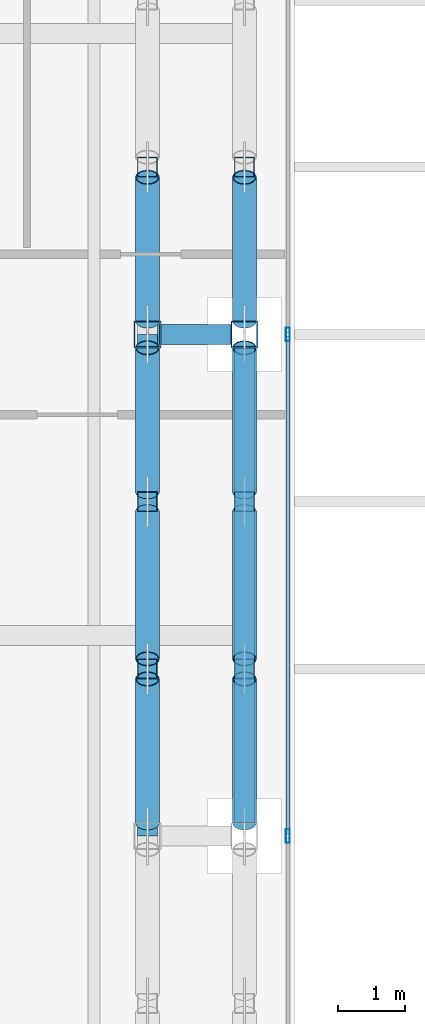
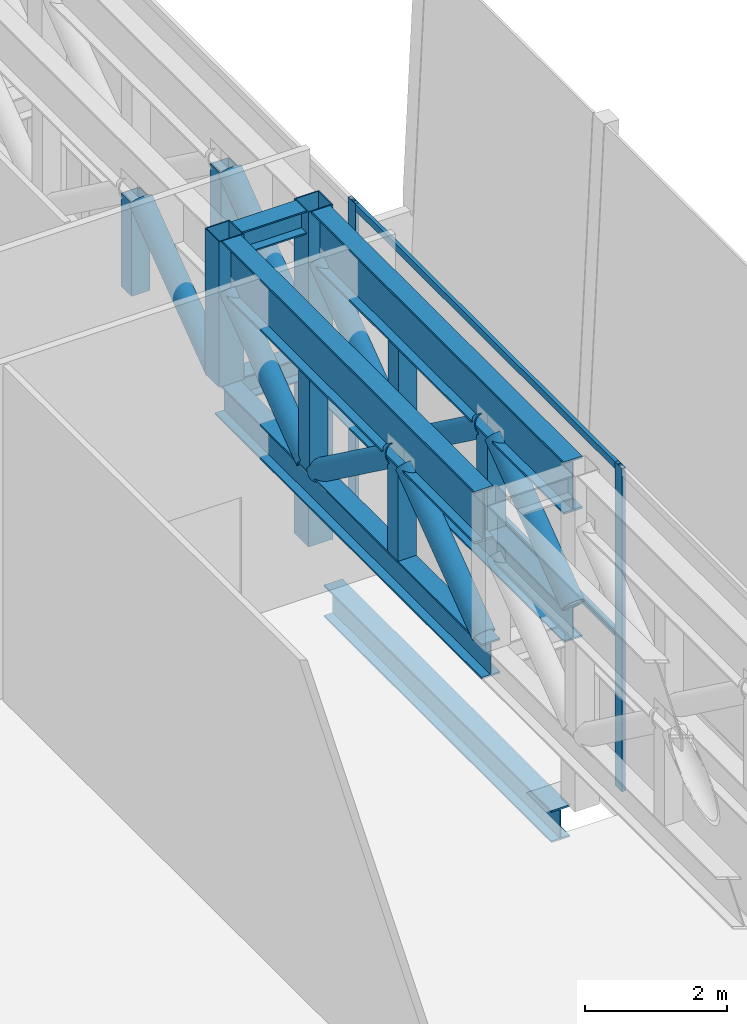
# One storey, part 17 of 47: 24 members, 3 beams, 1 element without a shape of its own.
"""IFC4 building model written with IfcOpenShell, lengths in metres."""

from ifc_helpers import new_model, si_unit, direction, frame, origin, origin_2d, place, context, subcontext, project, spatial, hollow_rectangle, hollow_circle, i_section, extrude, source, transform, mapped, material, material_profile, profile_set, type_object, element, aggregate, save


model = new_model("IFC4")

# Units and contexts
model_context = context("Model", 3, precision=1e-05, world=origin(), true_north=direction((0.0, 1.0)))
body_context = subcontext(model_context, "Body", "Model", "MODEL_VIEW")
ifc_project = project(units=[si_unit("LENGTHUNIT", "METRE"), si_unit("AREAUNIT", "SQUARE_METRE"), si_unit("VOLUMEUNIT", "CUBIC_METRE"), si_unit("PLANEANGLEUNIT", "RADIAN"), si_unit("MASSUNIT", "GRAM", prefix="KILO")], contexts=[model_context])

# Site, building, storey
site_placement = place(None, origin())
site = spatial("IfcSite", under=ifc_project, at=site_placement, CompositionType="ELEMENT")
building_placement = place(site_placement, origin())
building = spatial("IfcBuilding", under=site, at=building_placement, Name="Khomas Fold Tower", CompositionType="ELEMENT")
storey_placement = place(building_placement, frame((0.0, 0.0, 158.699951171875)))
storey = spatial("IfcBuildingStorey", under=building, at=storey_placement, Name="L34", CompositionType="ELEMENT", Elevation=158.699951171875)

# Beam
ifc_material_1 = material(Name="Steel S355", Category="steel")
ifc_material_profile_1 = material_profile(ifc_material_1, i_section(OverallWidth=0.300048828125, OverallDepth=0.550048828125, WebThickness=0.014892578125, FlangeThickness=0.029052734375, at=origin_2d()), Name="HE 550 B")
ifc_profile_set_1 = profile_set([ifc_material_profile_1], Name="Steel S355")
beam_type_1 = type_object("IfcBeamType", Name="HE 550 B spandrel SB2", PredefinedType="SPANDREL", material=ifc_profile_set_1)
shared_shape_1 = source(origin(), body_context, "Body", "SweptSolid", [
    extrude(i_section(OverallWidth=0.300048828125, OverallDepth=0.550048828125, WebThickness=0.014892578125, FlangeThickness=0.029052734375, at=origin_2d()), origin(), (0.0, 0.0, 1.0), 6.39990234375),
])
beam_1_placement = place(storey_placement, frame((51.75, 20.050048828125, -0.724853515625), z_axis=(0.0, 1.0, 0.0), x_axis=(-1.0, 0.0, 0.0)))
element("IfcBeam", 1, at=beam_1_placement, inside=storey, type_object=beam_type_1, Name="SB2", PredefinedType="SPANDREL", context=body_context, shape_type="MappedRepresentation", body=[
    mapped(shared_shape_1, transform((0.0, 0.0, 0.0))),
])

# Members
ifc_material_2 = material(Name="Steel S355", Category="steel")
ifc_material_profile_2 = material_profile(ifc_material_2, hollow_rectangle(XDim=0.300048828125, YDim=0.300048828125, WallThickness=0.012451171875, at=origin_2d()), Name="SHS 300x300x12.5")
ifc_profile_set_2 = profile_set([ifc_material_profile_2], Name="Steel S355")
member_type_1 = type_object("IfcMemberType", Name="BELT TRUSS 2 MID POST SHS 300x300x12.5", PredefinedType="POST", material=ifc_profile_set_2)
shared_shape_2 = source(origin(), body_context, "Body", "SweptSolid", [
    extrude(hollow_rectangle(XDim=0.300048828125, YDim=0.300048828125, WallThickness=0.012451171875, at=origin_2d()), origin(), (0.0, 0.0, 1.0), 1.60009765625),
])
for number, where, z_axis, x_axis, name in (
    (2, (51.75, 22.0, 3.25), (0.0, 0.0, 1.0), (1.0, 0.0, 0.0), "BT2-M"),
    (3, (51.75, 24.5, 3.25), (0.0, 0.0, 1.0), (1.0, 0.0, 0.0), "BT2-M"),
    (4, (51.75, 29.5, 3.25), (0.0, 0.0, 1.0), (1.0, 0.0, 0.0), "BT2-M"),
    (5, (50.300048828125, 22.0, 3.25), (0.0, 0.0, 1.0), (1.0, 0.0, 0.0), "BT2-M"),
    (6, (50.300048828125, 24.5, 3.25), (0.0, 0.0, 1.0), (1.0, 0.0, 0.0), "BT2-M"),
    (7, (50.300048828125, 29.5, 3.25), (0.0, 0.0, 1.0), (1.0, 0.0, 0.0), "BT2-M"),
):
    element("IfcMember", number, at=place(storey_placement, frame(where, z_axis=z_axis, x_axis=x_axis)), inside=storey, type_object=member_type_1, Name=name, PredefinedType="POST", context=body_context, shape_type="MappedRepresentation", body=[
        mapped(shared_shape_2, transform((0.0, 0.0, 0.0))),
    ])
ifc_material_3 = material(Name="Steel S460M", Category="steel")
ifc_material_profile_3 = material_profile(ifc_material_3, i_section(OverallWidth=0.300048828125, OverallDepth=0.89990234375, WebThickness=0.0185546875, FlangeThickness=0.034912109375, at=origin_2d()), Name="HE 900 B")
ifc_profile_set_3 = profile_set([ifc_material_profile_3], Name="Steel S460M")
member_type_2 = type_object("IfcMemberType", Name="BELT TRUSS 2 TOP CHORD HE 900 B", PredefinedType="CHORD", material=ifc_profile_set_3)
shared_shape_3 = source(origin(), body_context, "Body", "SweptSolid", [
    extrude(i_section(OverallWidth=0.300048828125, OverallDepth=0.89990234375, WebThickness=0.0185546875, FlangeThickness=0.034912109375, at=origin_2d()), origin(), (0.0, 0.0, 1.0), 7.10009765625),
])
for number, where, z_axis, x_axis, name in (
    (8, (51.75, 19.699951171875, 5.300048828125), (0.0, 1.0, 0.0), (-1.0, 0.0, 0.0), "BT2-CT"),
    (9, (50.300048828125, 19.699951171875, 5.300048828125), (0.0, 1.0, 0.0), (-1.0, 0.0, 0.0), "BT2-CT"),
):
    element("IfcMember", number, at=place(storey_placement, frame(where, z_axis=z_axis, x_axis=x_axis)), inside=storey, type_object=member_type_2, Name=name, PredefinedType="CHORD", context=body_context, shape_type="MappedRepresentation", body=[
        mapped(shared_shape_3, transform((0.0, 0.0, 0.0))),
    ])
ifc_material_4 = material(Name="Steel S355", Category="steel")
ifc_material_profile_4 = material_profile(ifc_material_4, i_section(OverallWidth=0.300048828125, OverallDepth=0.60009765625, WebThickness=0.015380859375, FlangeThickness=0.030029296875, at=origin_2d()), Name="HE 600 B")
ifc_profile_set_4 = profile_set([ifc_material_profile_4], Name="Steel S355")
member_type_3 = type_object("IfcMemberType", Name="BELT TRUSS 2 BOTTOM CHORD HE 600 B", PredefinedType="CHORD", material=ifc_profile_set_4)
shared_shape_4 = source(origin(), body_context, "Body", "SweptSolid", [
    extrude(i_section(OverallWidth=0.300048828125, OverallDepth=0.60009765625, WebThickness=0.015380859375, FlangeThickness=0.030029296875, at=origin_2d()), origin(), (0.0, 0.0, 1.0), 7.10009765625),
])
member_1_placement = place(storey_placement, frame((51.75, 19.699951171875, 2.949951171875), z_axis=(0.0, 1.0, 0.0), x_axis=(-1.0, 0.0, 0.0)))
element("IfcMember", 10, at=member_1_placement, inside=storey, type_object=member_type_3, Name="BT2-CB", PredefinedType="CHORD", context=body_context, shape_type="MappedRepresentation", body=[
    mapped(shared_shape_4, transform((0.0, 0.0, 0.0))),
])
ifc_material_5 = material(Name="Steel S355", Category="steel")
ifc_material_profile_5 = material_profile(ifc_material_5, hollow_circle(Radius=0.177734375, WallThickness=0.01611328125, at=origin_2d()), Name="CHS 355.6x16")
ifc_profile_set_5 = profile_set([ifc_material_profile_5], Name="Steel S355")
member_type_4 = type_object("IfcMemberType", Name="BELT TRUSS 2 DIAGONAL CHS 355.6x16", PredefinedType="BRACE", material=ifc_profile_set_5)
shared_shape_5 = source(origin(), body_context, "Body", "SweptSolid", [
    extrude(hollow_circle(Radius=0.177734375, WallThickness=0.01611328125, at=origin_2d()), origin(), (0.0, 0.0, 1.0), 2.68603515625),
])
for number, where, z_axis, x_axis, name in (
    (11, (51.75, 19.699951171875, 3.2451171875), (0.0, 0.800490552016, 0.599345372998), (-1.0, 0.0, 0.0), "BT2-D"),
    (12, (51.75, 24.64990234375, 3.2451171875), (0.0, 0.800490552016, 0.599345372998), (-1.0, 0.0, 0.0), "BT2-D"),
    (13, (51.75, 27.199951171875, 3.2451171875), (0.0, 0.800490552016, 0.599345372998), (-1.0, 0.0, 0.0), "BT2-D"),
    (14, (50.300048828125, 19.699951171875, 3.2451171875), (0.0, 0.800490552016, 0.599345372998), (-1.0, 0.0, 0.0), "BT2-D"),
    (15, (50.300048828125, 24.64990234375, 3.2451171875), (0.0, 0.800490552016, 0.599345372998), (-1.0, 0.0, 0.0), "BT2-D"),
    (16, (50.300048828125, 27.199951171875, 3.2451171875), (0.0, 0.800490552016, 0.599345372998), (-1.0, 0.0, 0.0), "BT2-D"),
):
    element("IfcMember", number, at=place(storey_placement, frame(where, z_axis=z_axis, x_axis=x_axis)), inside=storey, type_object=member_type_4, Name=name, PredefinedType="BRACE", context=body_context, shape_type="MappedRepresentation", body=[
        mapped(shared_shape_5, transform((0.0, 0.0, 0.0))),
    ])
shared_shape_6 = source(origin(), body_context, "Body", "SweptSolid", [
    extrude(hollow_circle(Radius=0.177734375, WallThickness=0.01611328125, at=origin_2d()), origin(), (0.0, 0.0, 1.0), 2.726318359375),
])
for number, where, z_axis, x_axis, name in (
    (17, (51.75, 22.14990234375, 4.85498046875), (0.0, 0.80703657096, -0.590501459044), (-1.0, 0.0, 0.0), "BT2-D"),
    (18, (50.300048828125, 22.14990234375, 4.85498046875), (0.0, 0.80703657096, -0.590501459044), (-1.0, 0.0, 0.0), "BT2-D"),
):
    element("IfcMember", number, at=place(storey_placement, frame(where, z_axis=z_axis, x_axis=x_axis)), inside=storey, type_object=member_type_4, Name=name, PredefinedType="BRACE", context=body_context, shape_type="MappedRepresentation", body=[
        mapped(shared_shape_6, transform((0.0, 0.0, 0.0))),
    ])
shared_shape_7 = source(origin(), body_context, "Body", "SweptSolid", [
    extrude(i_section(OverallWidth=0.300048828125, OverallDepth=0.60009765625, WebThickness=0.015380859375, FlangeThickness=0.030029296875, at=origin_2d()), origin(), (0.0, 0.0, 1.0), 7.5),
])
member_2_placement = place(storey_placement, frame((50.300048828125, 19.5, 2.949951171875), z_axis=(0.0, 1.0, 0.0), x_axis=(-1.0, 0.0, 0.0)))
element("IfcMember", 19, at=member_2_placement, inside=storey, type_object=member_type_3, Name="BT2-CB", PredefinedType="CHORD", context=body_context, shape_type="MappedRepresentation", body=[
    mapped(shared_shape_7, transform((0.0, 0.0, 0.0))),
])
ifc_material_6 = material(Name="Steel S460M", Category="steel")
ifc_material_profile_6 = material_profile(ifc_material_6, hollow_rectangle(XDim=0.39990234375, YDim=0.39990234375, WallThickness=0.01611328125, at=origin_2d()), Name="SHS 400x400x16")
ifc_profile_set_6 = profile_set([ifc_material_profile_6], Name="Steel S460M")
member_type_5 = type_object("IfcMemberType", Name="BELT TRUSS 2 COLUMN POST SHS 400x400x16", PredefinedType="POST", material=ifc_profile_set_6)
shared_shape_8 = source(origin(), body_context, "Body", "SweptSolid", [
    extrude(hollow_rectangle(XDim=0.39990234375, YDim=0.39990234375, WallThickness=0.01611328125, at=origin_2d()), origin(), (0.0, 0.0, 1.0), 5.75),
])
member_3_placement = place(storey_placement, frame((51.75, 27.0, 0.0), z_axis=(0.0, 0.0, 1.0), x_axis=(1.0, 0.0, 0.0)))
element("IfcMember", 20, at=member_3_placement, inside=storey, type_object=member_type_5, Name="BT2-P", PredefinedType="POST", context=body_context, shape_type="MappedRepresentation", body=[
    mapped(shared_shape_8, transform((0.0, 0.0, 0.0))),
])
ifc_material_7 = material(Name="Steel S460M", Category="steel")
ifc_material_profile_7 = material_profile(ifc_material_7, hollow_rectangle(XDim=0.39990234375, YDim=0.39990234375, WallThickness=0.01611328125, at=origin_2d()), Name="SHS 400x400x16")
ifc_profile_set_7 = profile_set([ifc_material_profile_7], Name="Steel S460M")
member_type_6 = type_object("IfcMemberType", Name="BELT TRUSS 2 COLUMN POST SHORT SHS 400x400x16", PredefinedType="POST", material=ifc_profile_set_7)
shared_shape_9 = source(origin(), body_context, "Body", "SweptSolid", [
    extrude(hollow_rectangle(XDim=0.39990234375, YDim=0.39990234375, WallThickness=0.01611328125, at=origin_2d()), origin(), (0.0, 0.0, 1.0), 2.5),
])
member_4_placement = place(storey_placement, frame((50.300048828125, 27.0, 3.25), z_axis=(0.0, 0.0, 1.0), x_axis=(1.0, 0.0, 0.0)))
element("IfcMember", 21, at=member_4_placement, inside=storey, type_object=member_type_6, Name="BT2-PS", PredefinedType="POST", context=body_context, shape_type="MappedRepresentation", body=[
    mapped(shared_shape_9, transform((0.0, 0.0, 0.0))),
])

# Beams
ifc_material_8 = material(Name="Steel S355", Category="steel")
ifc_material_profile_8 = material_profile(ifc_material_8, i_section(OverallWidth=0.300048828125, OverallDepth=0.39990234375, WebThickness=0.013427734375, FlangeThickness=0.02392578125, at=origin_2d()), Name="HE 400 B")
ifc_profile_set_8 = profile_set([ifc_material_profile_8], Name="Steel S355")
beam_type_2 = type_object("IfcBeamType", Name="BELT TRUSS 2 TOP STRUT HE 400 B", PredefinedType="BEAM", material=ifc_profile_set_8)
shared_shape_10 = source(origin(), body_context, "Body", "SweptSolid", [
    extrude(i_section(OverallWidth=0.300048828125, OverallDepth=0.39990234375, WebThickness=0.013427734375, FlangeThickness=0.02392578125, at=origin_2d()), origin(), (0.0, 0.0, 1.0), 1.050048828125),
])
beam_2_placement = place(storey_placement, frame((50.5, 27.0, 5.550048828125), z_axis=(1.0, 0.0, 0.0), x_axis=(0.0, 1.0, 0.0)))
element("IfcBeam", 22, at=beam_2_placement, inside=storey, type_object=beam_type_2, Name="BT2-ST", PredefinedType="BEAM", context=body_context, shape_type="MappedRepresentation", body=[
    mapped(shared_shape_10, transform((0.0, 0.0, 0.0))),
])
ifc_material_9 = material(Name="Steel S355", Category="steel")
ifc_material_profile_9 = material_profile(ifc_material_9, i_section(OverallWidth=0.300048828125, OverallDepth=0.39990234375, WebThickness=0.013427734375, FlangeThickness=0.02392578125, at=origin_2d()), Name="HE 400 B")
ifc_profile_set_9 = profile_set([ifc_material_profile_9], Name="Steel S355")
beam_type_3 = type_object("IfcBeamType", Name="BELT TRUSS 2 BOTTOM STRUT HE 400 B", PredefinedType="BEAM", material=ifc_profile_set_9)
shared_shape_11 = source(origin(), body_context, "Body", "SweptSolid", [
    extrude(i_section(OverallWidth=0.300048828125, OverallDepth=0.39990234375, WebThickness=0.013427734375, FlangeThickness=0.02392578125, at=origin_2d()), origin(), (0.0, 0.0, 1.0), 1.10009765625),
])
beam_3_placement = place(storey_placement, frame((50.449951171875, 27.0, 3.050048828125), z_axis=(1.0, 0.0, 0.0), x_axis=(0.0, 1.0, 0.0)))
element("IfcBeam", 23, at=beam_3_placement, inside=storey, type_object=beam_type_3, Name="BT2-SB", PredefinedType="BEAM", context=body_context, shape_type="MappedRepresentation", body=[
    mapped(shared_shape_11, transform((0.0, 0.0, 0.0))),
])

# Curtain wall, members
ifc_material_10 = material(Name="Aluminium framed double glazing", Category="aluminium")
curtain_wall_type = type_object("IfcCurtainWallType", Name="SK-Unitised clear-glass wall, growing floors CW1", PredefinedType="NOTDEFINED", material=ifc_material_10)
curtain_wall_placement = place(storey_placement, origin())
curtain_wall = element("IfcCurtainWall", 24, at=curtain_wall_placement, inside=storey, type_object=curtain_wall_type, Name="CW1 run L34 08-0", PredefinedType="NOTDEFINED")
ifc_material_11 = material(Name="Aluminium", Category="aluminium")
ifc_material_profile_10 = material_profile(ifc_material_11, hollow_rectangle(XDim=0.06005859375, YDim=0.1201171875, WallThickness=0.00390625, at=origin_2d()), Name="SK-Unitised clear-glass wall, growing floors transom CW1-T")
ifc_profile_set_10 = profile_set([ifc_material_profile_10], Name="Aluminium")
member_type_7 = type_object("IfcMemberType", Name="SK-Unitised clear-glass wall, growing floors transom CW1-T", PredefinedType="USERDEFINED", material=ifc_profile_set_10)
shared_shape_12 = source(origin(), body_context, "Body", "SweptSolid", [
    extrude(hollow_rectangle(XDim=0.06005859375, YDim=0.1201171875, WallThickness=0.00390625, at=origin_2d()), origin(), (0.0, 0.0, 1.0), 7.43994140625),
])
member_5_placement = place(storey_placement, frame((52.39990234375, 19.530029296875, 5.489990234375), z_axis=(0.0, 1.0, 0.0), x_axis=(-1.0, 0.0, 0.0)))
member_5 = element("IfcMember", 25, at=member_5_placement, type_object=member_type_7, Name="CW1 transom 4", ObjectType="TRANSOM", PredefinedType="USERDEFINED", context=body_context, shape_type="MappedRepresentation", body=[
    mapped(shared_shape_12, transform((0.0, 0.0, 0.0))),
])
member_6_placement = place(storey_placement, frame((52.39990234375, 19.530029296875, 2.6171875), z_axis=(0.0, 1.0, 0.0), x_axis=(-1.0, 0.0, 0.0)))
member_6 = element("IfcMember", 26, at=member_6_placement, type_object=member_type_7, Name="CW1 transom 4 (truss floor)", ObjectType="TRANSOM", PredefinedType="USERDEFINED", context=body_context, shape_type="MappedRepresentation", body=[
    mapped(shared_shape_12, transform((0.0, 0.0, 0.0))),
])
ifc_material_12 = material(Name="Aluminium", Category="aluminium")
ifc_material_profile_11 = material_profile(ifc_material_12, hollow_rectangle(XDim=0.06005859375, YDim=0.199951171875, WallThickness=0.00390625, at=origin_2d()), Name="SK-Unitised clear-glass wall, growing floors mullion CW1-M")
ifc_profile_set_11 = profile_set([ifc_material_profile_11], Name="Aluminium")
member_type_8 = type_object("IfcMemberType", Name="SK-Unitised clear-glass wall, growing floors mullion CW1-M", PredefinedType="MULLION", material=ifc_profile_set_11)
shared_shape_13 = source(origin(), body_context, "Body", "SweptSolid", [
    extrude(hollow_rectangle(XDim=0.06005859375, YDim=0.199951171875, WallThickness=0.00390625, at=origin_2d()), origin(), (0.0, 0.0, 1.0), 5.550048828125),
])
member_7_placement = place(storey_placement, frame((52.39990234375, 19.5, 0.0), z_axis=(0.0, 0.0, 1.0), x_axis=(-1.0, 0.0, 0.0)))
member_7 = element("IfcMember", 27, at=member_7_placement, type_object=member_type_8, Name="CW1 mullion 4", PredefinedType="MULLION", context=body_context, shape_type="MappedRepresentation", body=[
    mapped(shared_shape_13, transform((0.0, 0.0, 0.0))),
])
member_8_placement = place(storey_placement, frame((52.39990234375, 27.0, 0.0), z_axis=(0.0, 0.0, 1.0), x_axis=(-1.0, 0.0, 0.0)))
member_8 = element("IfcMember", 28, at=member_8_placement, type_object=member_type_8, Name="CW1 mullion 5", PredefinedType="MULLION", context=body_context, shape_type="MappedRepresentation", body=[
    mapped(shared_shape_13, transform((0.0, 0.0, 0.0))),
])
aggregate(curtain_wall, [member_7, member_8, member_5, member_6])

save(model, "model.ifc")
